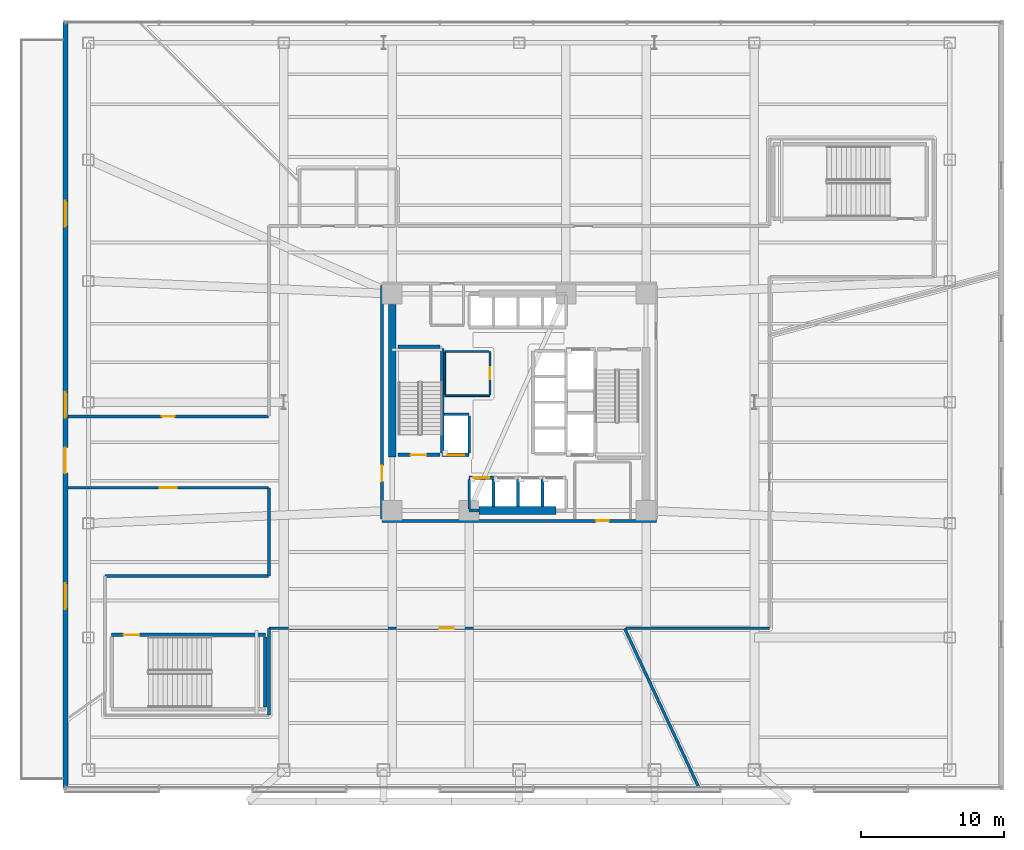
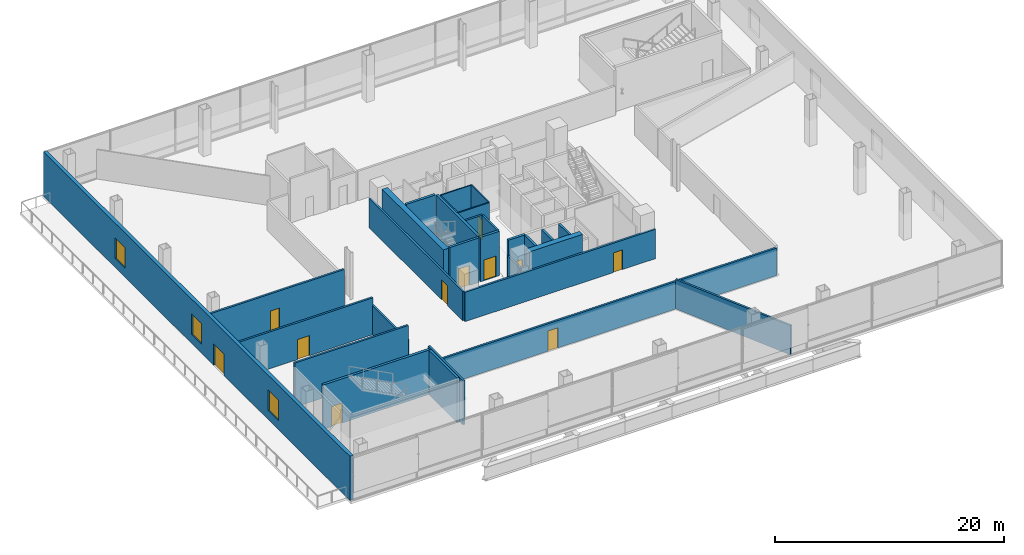
# One storey, part 10 of 20: 31 walls, 11 doors, 3 windows, 14 openings.
"""IFC4 building model written with IfcOpenShell, lengths in metres."""

from ifc_helpers import new_model, si_unit, direction, frame, frame_2d, origin, place, context, subcontext, project, spatial, rectangle, extrude, material, layer, layer_set, type_object, element, fill, save


model = new_model("IFC4")

# Units and contexts
model_context = context("Model", 3, precision=1e-05, world=origin(), true_north=direction((0.0, 1.0)))
body_context = subcontext(model_context, "Body", "Model", "MODEL_VIEW")
ifc_project = project(units=[si_unit("LENGTHUNIT", "METRE"), si_unit("AREAUNIT", "SQUARE_METRE"), si_unit("VOLUMEUNIT", "CUBIC_METRE"), si_unit("PLANEANGLEUNIT", "RADIAN"), si_unit("MASSUNIT", "GRAM", prefix="KILO")], contexts=[model_context])

# Site, building, storey
site_placement = place(None, origin())
site = spatial("IfcSite", under=ifc_project, at=site_placement, CompositionType="ELEMENT")
building_placement = place(site_placement, origin())
building = spatial("IfcBuilding", under=site, at=building_placement, Name="Tharavind Bronze Gate", CompositionType="ELEMENT")
storey_placement = place(building_placement, frame((0.0, 0.0, 16.5)))
storey = spatial("IfcBuildingStorey", under=building, at=storey_placement, Name="L03", CompositionType="ELEMENT", Elevation=16.5)

# Wall, openings, windows, door
ifc_material_1 = material(Name="Concrete C40/50", Category="concrete")
ifc_layer_1 = layer(ifc_material_1, 0.35009765625)
ifc_layer_set_1 = layer_set([ifc_layer_1], Name="Concrete C40/50")
wall_type_1 = type_object("IfcWallType", Name="EXTERIOR SPANDREL WALL 350", PredefinedType="STANDARD", material=ifc_layer_set_1)
wall_1_placement = place(storey_placement, frame((-31.820068359375, 26.6201171875, 0.0), z_axis=(0.0, 0.0, 1.0), x_axis=(0.0, -1.0, 0.0)))
wall_1 = element("IfcWall", 1, at=wall_1_placement, inside=storey, type_object=wall_type_1, Name="L03 upper podium west wall", PredefinedType="STANDARD", context=body_context, shape_type="SweptSolid", body=[
    extrude(rectangle(XDim=53.64013671875, YDim=0.35009765625, at=frame_2d((26.820068359375, 0.0))), origin(), (0.0, 0.0, 1.0), 4.739990234375),
])
opening_1_placement = place(wall_1_placement, frame((29.800048828125, 0.0, 0.0)))
opening_1 = element("IfcOpeningElement", 2, at=opening_1_placement, cuts=wall_1, Name="Opening ED03", PredefinedType="OPENING", context=body_context, shape_type="SweptSolid", body=[
    extrude(rectangle(XDim=1.800048828125, YDim=2.300048828125, at=frame_2d((0.89990234375, 1.14990234375))), frame((0.0, 0.185048828125, 0.0), z_axis=(0.0, -1.0, 0.0), x_axis=(1.0, 0.0, 0.0)), (0.0, 0.0, 1.0), 0.37009765625),
])
opening_2_placement = place(wall_1_placement, frame((12.510009765625, 0.0, 0.949951171875)))
opening_2 = element("IfcOpeningElement", 3, at=opening_2_placement, cuts=wall_1, Name="Opening W02", PredefinedType="OPENING", context=body_context, shape_type="SweptSolid", body=[
    extrude(rectangle(XDim=1.800048828125, YDim=2.199951171875, at=frame_2d((0.89990234375, 1.10009765625))), frame((0.0, 0.185048828125, 0.0), z_axis=(0.0, -1.0, 0.0), x_axis=(1.0, 0.0, 0.0)), (0.0, 0.0, 1.0), 0.37009765625),
])
opening_3_placement = place(wall_1_placement, frame((25.919921875, 0.0, 0.949951171875)))
opening_3 = element("IfcOpeningElement", 4, at=opening_3_placement, cuts=wall_1, Name="Opening W02", PredefinedType="OPENING", context=body_context, shape_type="SweptSolid", body=[
    extrude(rectangle(XDim=1.800048828125, YDim=2.199951171875, at=frame_2d((0.89990234375, 1.10009765625))), frame((0.0, 0.185048828125, 0.0), z_axis=(0.0, -1.0, 0.0), x_axis=(1.0, 0.0, 0.0)), (0.0, 0.0, 1.0), 0.37009765625),
])
opening_4_placement = place(wall_1_placement, frame((39.330078125, 0.0, 0.949951171875)))
opening_4 = element("IfcOpeningElement", 5, at=opening_4_placement, cuts=wall_1, Name="Opening W02", PredefinedType="OPENING", context=body_context, shape_type="SweptSolid", body=[
    extrude(rectangle(XDim=1.800048828125, YDim=2.199951171875, at=frame_2d((0.89990234375, 1.10009765625))), frame((0.0, 0.185048828125, 0.0), z_axis=(0.0, -1.0, 0.0), x_axis=(1.0, 0.0, 0.0)), (0.0, 0.0, 1.0), 0.37009765625),
])
ifc_material_2 = material(Name="Bronze Aluminium & Low-E Glass", Category="aluminium")
window_type = type_object("IfcWindowType", Name="DOUBLE PANEL BRONZE WINDOW 1800X2200", PartitioningType="DOUBLE_PANEL_VERTICAL", PredefinedType="WINDOW", material=ifc_material_2)
window_1_placement = place(opening_2_placement, origin())
window_1 = element("IfcWindow", 6, at=window_1_placement, inside=storey, type_object=window_type, Name="L03 exterior window WL-L03-WE-01", OverallHeight=2.199951171875, OverallWidth=1.800048828125, PartitioningType="SINGLE_PANEL", PredefinedType="WINDOW", context=body_context, shape_type="SweptSolid", body=[
    extrude(rectangle(XDim=1.800048828125, YDim=2.199951171875, at=frame_2d((0.89990234375, 1.10009765625))), frame((0.0, 0.030029296875, 0.0), z_axis=(0.0, -1.0, 0.0), x_axis=(1.0, 0.0, 0.0)), (0.0, 0.0, 1.0), 0.06005859375),
])
fill(opening_2, window_1)
window_2_placement = place(opening_3_placement, origin())
window_2 = element("IfcWindow", 7, at=window_2_placement, inside=storey, type_object=window_type, Name="L03 exterior window WL-L03-WE-02", OverallHeight=2.199951171875, OverallWidth=1.800048828125, PartitioningType="SINGLE_PANEL", PredefinedType="WINDOW", context=body_context, shape_type="SweptSolid", body=[
    extrude(rectangle(XDim=1.800048828125, YDim=2.199951171875, at=frame_2d((0.89990234375, 1.10009765625))), frame((0.0, 0.030029296875, 0.0), z_axis=(0.0, -1.0, 0.0), x_axis=(1.0, 0.0, 0.0)), (0.0, 0.0, 1.0), 0.06005859375),
])
fill(opening_3, window_2)
window_3_placement = place(opening_4_placement, origin())
window_3 = element("IfcWindow", 8, at=window_3_placement, inside=storey, type_object=window_type, Name="L03 exterior window WL-L03-WE-03", OverallHeight=2.199951171875, OverallWidth=1.800048828125, PartitioningType="SINGLE_PANEL", PredefinedType="WINDOW", context=body_context, shape_type="SweptSolid", body=[
    extrude(rectangle(XDim=1.800048828125, YDim=2.199951171875, at=frame_2d((0.89990234375, 1.10009765625))), frame((0.0, 0.030029296875, 0.0), z_axis=(0.0, -1.0, 0.0), x_axis=(1.0, 0.0, 0.0)), (0.0, 0.0, 1.0), 0.06005859375),
])
fill(opening_4, window_3)
ifc_material_3 = material(Name="Bronze Aluminium & Toughened Glass", Category="aluminium")
door_type_1 = type_object("IfcDoorType", Name="GLAZED TERRACE ACCESS DOOR 1800X2300", OperationType="DOUBLE_DOOR_SINGLE_SWING", PredefinedType="DOOR", material=ifc_material_3)
door_1_placement = place(opening_1_placement, frame((1.800048828125, 0.0, 0.0), z_axis=(0.0, 0.0, 1.0), x_axis=(-1.0, 0.0, 0.0)))
door_1 = element("IfcDoor", 9, at=door_1_placement, inside=storey, type_object=door_type_1, Name="L03 west convention terrace door", OperationType="DOUBLE_DOOR_SINGLE_SWING", OverallHeight=2.300048828125, OverallWidth=1.800048828125, PredefinedType="DOOR", context=body_context, shape_type="SweptSolid", body=[
    extrude(rectangle(XDim=1.800048828125, YDim=2.300048828125, at=frame_2d((0.89990234375, 1.14990234375))), frame((0.0, 0.02490234375, 0.0), z_axis=(0.0, -1.0, 0.0), x_axis=(1.0, 0.0, 0.0)), (0.0, 0.0, 1.0), 0.050048828125),
])
fill(opening_1, door_1)

# Wall, opening, door
ifc_material_4 = material(Name="Aerated Concrete Block", Category="concrete")
ifc_layer_2 = layer(ifc_material_4, 0.199951171875)
ifc_layer_set_2 = layer_set([ifc_layer_2], Name="Aerated Concrete Block")
wall_type_2 = type_object("IfcWallType", Name="FIRE RATED PARTITION 200", PredefinedType="PARTITIONING", material=ifc_layer_set_2)
wall_2_placement = place(storey_placement, frame((-9.6201171875, -8.320068359375, 0.0), z_axis=(0.0, 0.0, 1.0), x_axis=(1.0, 0.0, 0.0)))
wall_2 = element("IfcWall", 10, at=wall_2_placement, inside=storey, type_object=wall_type_2, Name="L03 south core corridor wall", PredefinedType="PARTITIONING", context=body_context, shape_type="SweptSolid", body=[
    extrude(rectangle(XDim=19.240234375, YDim=0.199951171875, at=frame_2d((9.6201171875, 0.0))), origin(), (0.0, 0.0, 1.0), 3.135009765625),
])
opening_5_placement = place(wall_2_placement, frame((15.02001953125, 0.0, 0.0)))
opening_5 = element("IfcOpeningElement", 11, at=opening_5_placement, cuts=wall_2, Name="Opening ID07", PredefinedType="OPENING", context=body_context, shape_type="SweptSolid", body=[
    extrude(rectangle(XDim=0.89990234375, YDim=2.10009765625, at=frame_2d((0.449951171875, 1.050048828125))), frame((0.0, 0.11009765625, 0.0), z_axis=(0.0, -1.0, 0.0), x_axis=(1.0, 0.0, 0.0)), (0.0, 0.0, 1.0), 0.219951171875),
])
ifc_material_5 = material(Name="Galvanised Fire Steel", Category="steel")
door_type_2 = type_object("IfcDoorType", Name="PLANT AND RISER FIRE DOOR 900X2100", OperationType="SINGLE_SWING_LEFT", PredefinedType="DOOR", material=ifc_material_5)
door_2_placement = place(opening_5_placement, origin())
door_2 = element("IfcDoor", 12, at=door_2_placement, inside=storey, type_object=door_type_2, Name="L03 Telecom Metering Room fire door", OperationType="SINGLE_SWING_LEFT", OverallHeight=2.10009765625, OverallWidth=0.89990234375, PredefinedType="DOOR", context=body_context, shape_type="SweptSolid", body=[
    extrude(rectangle(XDim=0.89990234375, YDim=2.10009765625, at=frame_2d((0.449951171875, 1.050048828125))), frame((0.0, 0.02490234375, 0.0), z_axis=(0.0, -1.0, 0.0), x_axis=(1.0, 0.0, 0.0)), (0.0, 0.0, 1.0), 0.050048828125),
])
fill(opening_5, door_2)

wall_3_placement = place(storey_placement, frame((-9.6201171875, 8.199951171875, 0.0), z_axis=(0.0, 0.0, 1.0), x_axis=(0.0, -1.0, 0.0)))
wall_3 = element("IfcWall", 13, at=wall_3_placement, inside=storey, type_object=wall_type_2, Name="L03 west core corridor wall", PredefinedType="PARTITIONING", context=body_context, shape_type="SweptSolid", body=[
    extrude(rectangle(XDim=16.39990234375, YDim=0.199951171875, at=frame_2d((8.199951171875, 0.0))), origin(), (0.0, 0.0, 1.0), 3.135009765625),
])
opening_6_placement = place(wall_3_placement, frame((12.64990234375, 0.0, 0.0)))
opening_6 = element("IfcOpeningElement", 14, at=opening_6_placement, cuts=wall_3, Name="Opening ID01", PredefinedType="OPENING", context=body_context, shape_type="SweptSolid", body=[
    extrude(rectangle(XDim=1.10009765625, YDim=2.14990234375, at=frame_2d((0.550048828125, 1.074951171875))), frame((0.0, 0.11009765625, 0.0), z_axis=(0.0, -1.0, 0.0), x_axis=(1.0, 0.0, 0.0)), (0.0, 0.0, 1.0), 0.219951171875),
])
ifc_material_6 = material(Name="Fire-Rated Steel", Category="steel")
door_type_3 = type_object("IfcDoorType", Name="STAIR CORE FIRE DOOR 1100X2150", OperationType="SINGLE_SWING_LEFT", PredefinedType="DOOR", material=ifc_material_6)
door_3_placement = place(opening_6_placement, frame((1.10009765625, 0.0, 0.0), z_axis=(0.0, 0.0, 1.0), x_axis=(-1.0, 0.0, 0.0)))
door_3 = element("IfcDoor", 15, at=door_3_placement, inside=storey, type_object=door_type_3, Name="L03 south west stair lobby fire door", OperationType="SINGLE_SWING_LEFT", OverallHeight=2.14990234375, OverallWidth=1.10009765625, PredefinedType="DOOR", context=body_context, shape_type="SweptSolid", body=[
    extrude(rectangle(XDim=1.10009765625, YDim=2.14990234375, at=frame_2d((0.550048828125, 1.074951171875))), frame((0.0, 0.02490234375, 0.0), z_axis=(0.0, -1.0, 0.0), x_axis=(1.0, 0.0, 0.0)), (0.0, 0.0, 1.0), 0.050048828125),
])
fill(opening_6, door_3)

wall_4_placement = place(storey_placement, frame((-17.574951171875, -1.0, 0.0), z_axis=(0.0, 0.0, 1.0), x_axis=(-1.0, 0.0, 0.0)))
wall_4 = element("IfcWall", 16, at=wall_4_placement, inside=storey, type_object=wall_type_2, Name="L03 Banquet Plating Kitchen partition", PredefinedType="PARTITIONING", context=body_context, shape_type="SweptSolid", body=[
    extrude(rectangle(XDim=14.06494140625, YDim=0.199951171875, at=frame_2d((7.032470703125, 0.0))), origin(), (0.0, 0.0, 1.0), 3.93505859375),
])
opening_7_placement = place(wall_4_placement, frame((6.5830078125, 0.0, 0.0)))
opening_7 = element("IfcOpeningElement", 17, at=opening_7_placement, cuts=wall_4, Name="Opening ID07", PredefinedType="OPENING", context=body_context, shape_type="SweptSolid", body=[
    extrude(rectangle(XDim=0.89990234375, YDim=2.10009765625, at=frame_2d((0.449951171875, 1.050048828125))), frame((0.0, 0.11009765625, 0.0), z_axis=(0.0, -1.0, 0.0), x_axis=(1.0, 0.0, 0.0)), (0.0, 0.0, 1.0), 0.219951171875),
])
door_4_placement = place(opening_7_placement, origin())
door_4 = element("IfcDoor", 18, at=door_4_placement, inside=storey, type_object=door_type_2, Name="L03 Banquet Plating Kitchen door", OperationType="SINGLE_SWING_LEFT", OverallHeight=2.10009765625, OverallWidth=0.89990234375, PredefinedType="DOOR", context=body_context, shape_type="SweptSolid", body=[
    extrude(rectangle(XDim=0.89990234375, YDim=2.10009765625, at=frame_2d((0.449951171875, 1.050048828125))), frame((0.0, 0.02490234375, 0.0), z_axis=(0.0, -1.0, 0.0), x_axis=(1.0, 0.0, 0.0)), (0.0, 0.0, 1.0), 0.050048828125),
])
fill(opening_7, door_4)

wall_5_placement = place(storey_placement, frame((-31.639892578125, -6.0, 0.0), z_axis=(0.0, 0.0, 1.0), x_axis=(1.0, 0.0, 0.0)))
wall_5 = element("IfcWall", 19, at=wall_5_placement, inside=storey, type_object=wall_type_2, Name="L03 West Terrace Foyer Lounge partition", PredefinedType="PARTITIONING", context=body_context, shape_type="SweptSolid", body=[
    extrude(rectangle(XDim=14.06494140625, YDim=0.199951171875, at=frame_2d((7.032470703125, 0.0))), origin(), (0.0, 0.0, 1.0), 3.93505859375),
])
opening_8_placement = place(wall_5_placement, frame((6.431884765625, 0.0, 0.0)))
opening_8 = element("IfcOpeningElement", 20, at=opening_8_placement, cuts=wall_5, Name="Opening ID05", PredefinedType="OPENING", context=body_context, shape_type="SweptSolid", body=[
    extrude(rectangle(XDim=1.199951171875, YDim=2.14990234375, at=frame_2d((0.60009765625, 1.074951171875))), frame((0.0, 0.11009765625, 0.0), z_axis=(0.0, -1.0, 0.0), x_axis=(1.0, 0.0, 0.0)), (0.0, 0.0, 1.0), 0.219951171875),
])
ifc_material_7 = material(Name="Acoustic Laminated Glass", Category="glass")
door_type_4 = type_object("IfcDoorType", Name="MEETING ROOM GLAZED DOOR 1200X2150", OperationType="SINGLE_SWING_LEFT", PredefinedType="DOOR", material=ifc_material_7)
door_5_placement = place(opening_8_placement, origin())
door_5 = element("IfcDoor", 21, at=door_5_placement, inside=storey, type_object=door_type_4, Name="L03 West Terrace Foyer Lounge door", OperationType="SINGLE_SWING_LEFT", OverallHeight=2.14990234375, OverallWidth=1.199951171875, PredefinedType="DOOR", context=body_context, shape_type="SweptSolid", body=[
    extrude(rectangle(XDim=1.199951171875, YDim=2.14990234375, at=frame_2d((0.60009765625, 1.074951171875))), frame((0.0, 0.02490234375, 0.0), z_axis=(0.0, -1.0, 0.0), x_axis=(1.0, 0.0, 0.0)), (0.0, 0.0, 1.0), 0.050048828125),
])
fill(opening_8, door_5)

# Walls
wall_6_placement = place(storey_placement, frame((-17.550048828125, -6.02490234375, 0.0), z_axis=(0.0, 0.0, 1.0), x_axis=(0.0, -1.0, 0.0)))
element("IfcWall", 22, at=wall_6_placement, inside=storey, type_object=wall_type_2, Name="L03 West Terrace Foyer Lounge partition", PredefinedType="PARTITIONING", context=body_context, shape_type="SweptSolid", body=[
    extrude(rectangle(XDim=6.150146484375, YDim=0.199951171875, at=frame_2d((3.0751953125, 0.0))), origin(), (0.0, 0.0, 1.0), 3.135009765625),
])
wall_7_placement = place(storey_placement, frame((-17.574951171875, -12.199951171875, 0.0), z_axis=(0.0, 0.0, 1.0), x_axis=(-1.0, 0.0, 0.0)))
element("IfcWall", 23, at=wall_7_placement, inside=storey, type_object=wall_type_2, Name="L03 West Terrace Foyer Lounge partition", PredefinedType="PARTITIONING", context=body_context, shape_type="SweptSolid", body=[
    extrude(rectangle(XDim=11.474365234375, YDim=0.199951171875, at=frame_2d((5.7373046875, 0.0))), origin(), (0.0, 0.0, 1.0), 4.739990234375),
])
wall_8_placement = place(storey_placement, frame((-17.550048828125, -21.949462890625, 0.0), z_axis=(0.0, 0.0, 1.0), x_axis=(0.0, 1.0, 0.0)))
element("IfcWall", 24, at=wall_8_placement, inside=storey, type_object=wall_type_2, Name="L03 Bridal & VIP Green Room partition", PredefinedType="PARTITIONING", context=body_context, shape_type="SweptSolid", body=[
    extrude(rectangle(XDim=6.074462890625, YDim=0.199951171875, at=frame_2d((3.037109375, 0.0))), origin(), (0.0, 0.0, 1.0), 4.739990234375),
])

# Wall, opening, door
wall_9_placement = place(storey_placement, frame((-17.52490234375, -15.85009765625, 0.0), z_axis=(0.0, 0.0, 1.0), x_axis=(1.0, 0.0, 0.0)))
wall_9 = element("IfcWall", 25, at=wall_9_placement, inside=storey, type_object=wall_type_2, Name="L03 Bridal & VIP Green Room partition", PredefinedType="PARTITIONING", context=body_context, shape_type="SweptSolid", body=[
    extrude(rectangle(XDim=24.89990234375, YDim=0.199951171875, at=frame_2d((12.449951171875, 0.0))), origin(), (0.0, 0.0, 1.0), 2.93505859375),
])
opening_9_placement = place(wall_9_placement, frame((11.949951171875, 0.0, 0.0)))
opening_9 = element("IfcOpeningElement", 26, at=opening_9_placement, cuts=wall_9, Name="Opening ID04", PredefinedType="OPENING", context=body_context, shape_type="SweptSolid", body=[
    extrude(rectangle(XDim=1.0, YDim=2.14990234375, at=frame_2d((0.5, 1.074951171875))), frame((0.0, 0.11009765625, 0.0), z_axis=(0.0, -1.0, 0.0), x_axis=(1.0, 0.0, 0.0)), (0.0, 0.0, 1.0), 0.219951171875),
])
ifc_material_8 = material(Name="Bronze Framed Acoustic Timber", Category="wood")
door_type_5 = type_object("IfcDoorType", Name="OFFICE TENANCY DOOR 1000X2150", OperationType="SINGLE_SWING_RIGHT", PredefinedType="DOOR", material=ifc_material_8)
door_6_placement = place(opening_9_placement, origin())
door_6 = element("IfcDoor", 27, at=door_6_placement, inside=storey, type_object=door_type_5, Name="L03 Bridal & VIP Green Room door", OperationType="SINGLE_SWING_RIGHT", OverallHeight=2.14990234375, OverallWidth=1.0, PredefinedType="DOOR", context=body_context, shape_type="SweptSolid", body=[
    extrude(rectangle(XDim=1.0, YDim=2.14990234375, at=frame_2d((0.5, 1.074951171875))), frame((0.0, 0.02490234375, 0.0), z_axis=(0.0, -1.0, 0.0), x_axis=(1.0, 0.0, 0.0)), (0.0, 0.0, 1.0), 0.050048828125),
])
fill(opening_9, door_6)

# Walls
wall_10_placement = place(storey_placement, frame((7.397705078125, -15.864501953125, 0.0), z_axis=(0.0, 0.0, 1.0), x_axis=(0.422618329775, -0.906307755312, 0.0)))
element("IfcWall", 28, at=wall_10_placement, inside=storey, type_object=wall_type_2, Name="L03 Bridal & VIP Green Room partition", PredefinedType="PARTITIONING", context=body_context, shape_type="SweptSolid", body=[
    extrude(rectangle(XDim=12.308837890625, YDim=0.199951171875, at=frame_2d((6.154296875, 0.0))), origin(), (0.0, 0.0, 1.0), 3.135009765625),
])
wall_11_placement = place(storey_placement, frame((7.5068359375, -15.85009765625, 0.0), z_axis=(0.0, 0.0, 1.0), x_axis=(1.0, 0.0, 0.0)))
element("IfcWall", 29, at=wall_11_placement, inside=storey, type_object=wall_type_2, Name="L03 Grand Pillar-Free Ballroom partition", PredefinedType="PARTITIONING", context=body_context, shape_type="SweptSolid", body=[
    extrude(rectangle(XDim=10.04248046875, YDim=0.199951171875, at=frame_2d((5.021240234375, 0.0))), origin(), (0.0, 0.0, 1.0), 2.93505859375),
])
ifc_material_9 = material(Name="Metal Stud Gypsum Partition", Category="gypsum")
ifc_layer_3 = layer(ifc_material_9, 0.1201171875)
ifc_layer_set_3 = layer_set([ifc_layer_3], Name="Metal Stud Gypsum Partition")
wall_type_3 = type_object("IfcWallType", Name="INTERIOR PARTITION WALL 120", PredefinedType="PARTITIONING", material=ifc_layer_set_3)
wall_12_placement = place(storey_placement, frame((-5.219970703125, 0.449951171875, 0.0), z_axis=(0.0, 0.0, 1.0), x_axis=(1.0, 0.0, 0.0)))
element("IfcWall", 30, at=wall_12_placement, inside=storey, type_object=wall_type_3, Name="L03 Electrical & Telecom Store partition 1", PredefinedType="PARTITIONING", context=body_context, shape_type="SweptSolid", body=[
    extrude(rectangle(XDim=3.169921875, YDim=0.1201171875, at=frame_2d((1.5849609375, 0.0))), origin(), (0.0, 0.0, 1.0), 4.739990234375),
])

# Wall, opening, door
wall_13_placement = place(storey_placement, frame((-2.050048828125, 0.514892578125, 0.0), z_axis=(0.0, 0.0, 1.0), x_axis=(0.0, 1.0, 0.0)))
wall_13 = element("IfcWall", 31, at=wall_13_placement, inside=storey, type_object=wall_type_3, Name="L03 Electrical & Telecom Store partition 2", PredefinedType="PARTITIONING", context=body_context, shape_type="SweptSolid", body=[
    extrude(rectangle(XDim=3.03515625, YDim=0.1201171875, at=frame_2d((1.517578125, 0.0))), origin(), (0.0, 0.0, 1.0), 4.739990234375),
])
opening_10_placement = place(wall_13_placement, frame((1.092041015625, 0.0, 0.0)))
opening_10 = element("IfcOpeningElement", 32, at=opening_10_placement, cuts=wall_13, Name="Opening ID06", PredefinedType="OPENING", context=body_context, shape_type="SweptSolid", body=[
    extrude(rectangle(XDim=0.85009765625, YDim=2.10009765625, at=frame_2d((0.425048828125, 1.050048828125))), frame((0.0, 0.07005859375, 0.0), z_axis=(0.0, -1.0, 0.0), x_axis=(1.0, 0.0, 0.0)), (0.0, 0.0, 1.0), 0.1401171875),
])
ifc_material_10 = material(Name="Moisture-Resistant Timber", Category="wood")
door_type_6 = type_object("IfcDoorType", Name="BATHROOM PRIVACY DOOR 850X2100", OperationType="SINGLE_SWING_RIGHT", PredefinedType="DOOR", material=ifc_material_10)
door_7_placement = place(opening_10_placement, frame((0.85009765625, 0.0, 0.0), z_axis=(0.0, 0.0, 1.0), x_axis=(-1.0, 0.0, 0.0)))
door_7 = element("IfcDoor", 33, at=door_7_placement, inside=storey, type_object=door_type_6, Name="L03 Electrical & Telecom Store door", OperationType="SINGLE_SWING_RIGHT", OverallHeight=2.10009765625, OverallWidth=0.85009765625, PredefinedType="DOOR", context=body_context, shape_type="SweptSolid", body=[
    extrude(rectangle(XDim=0.85009765625, YDim=2.10009765625, at=frame_2d((0.425048828125, 1.050048828125))), frame((0.0, 0.02490234375, 0.0), z_axis=(0.0, -1.0, 0.0), x_axis=(1.0, 0.0, 0.0)), (0.0, 0.0, 1.0), 0.050048828125),
])
fill(opening_10, door_7)

# Walls
wall_14_placement = place(storey_placement, frame((-2.114990234375, 3.550048828125, 0.0), z_axis=(0.0, 0.0, 1.0), x_axis=(-1.0, 0.0, 0.0)))
element("IfcWall", 34, at=wall_14_placement, inside=storey, type_object=wall_type_3, Name="L03 Electrical & Telecom Store partition 3", PredefinedType="PARTITIONING", context=body_context, shape_type="SweptSolid", body=[
    extrude(rectangle(XDim=3.10498046875, YDim=0.1201171875, at=frame_2d((1.552490234375, 0.0))), origin(), (0.0, 0.0, 1.0), 4.739990234375),
])
wall_15_placement = place(storey_placement, frame((-5.219970703125, 3.485107421875, 0.0), z_axis=(0.0, 0.0, 1.0), x_axis=(0.0, -1.0, 0.0)))
element("IfcWall", 35, at=wall_15_placement, inside=storey, type_object=wall_type_3, Name="L03 Electrical & Telecom Store partition 4", PredefinedType="PARTITIONING", context=body_context, shape_type="SweptSolid", body=[
    extrude(rectangle(XDim=2.97021484375, YDim=0.1201171875, at=frame_2d((1.485107421875, 0.0))), origin(), (0.0, 0.0, 1.0), 4.739990234375),
])
ifc_material_11 = material(Name="Concrete C50/60", Category="concrete")
ifc_layer_4 = layer(ifc_material_11, 0.25)
ifc_layer_set_4 = layer_set([ifc_layer_4], Name="Concrete C50/60")
wall_type_4 = type_object("IfcWallType", Name="RC CORE SHEAR WALL 250", PredefinedType="SHEAR", material=ifc_layer_set_4)
wall_16_placement = place(storey_placement, frame((-5.39990234375, -3.550048828125, 0.0), z_axis=(0.0, 0.0, 1.0), x_axis=(0.0, 1.0, 0.0)))
element("IfcWall", 36, at=wall_16_placement, inside=storey, type_object=wall_type_4, Name="L03 ST1 shaft east wall", PredefinedType="SHEAR", context=body_context, shape_type="SweptSolid", body=[
    extrude(rectangle(XDim=7.300048828125, YDim=0.25, at=frame_2d((3.64990234375, 0.0))), origin(), (0.0, 0.0, 1.0), 4.739990234375),
])

# Wall, opening, door
wall_17_placement = place(storey_placement, frame((-8.5, -3.699951171875, 0.0), z_axis=(0.0, 0.0, 1.0), x_axis=(1.0, 0.0, 0.0)))
wall_17 = element("IfcWall", 37, at=wall_17_placement, inside=storey, type_object=wall_type_4, Name="L03 ST1 shaft south wall", PredefinedType="SHEAR", context=body_context, shape_type="SweptSolid", body=[
    extrude(rectangle(XDim=2.949951171875, YDim=0.25, at=frame_2d((1.47509765625, 0.0))), origin(), (0.0, 0.0, 1.0), 4.739990234375),
])
opening_11_placement = place(wall_17_placement, frame((0.89990234375, 0.0, 0.0)))
opening_11 = element("IfcOpeningElement", 38, at=opening_11_placement, cuts=wall_17, Name="Opening ID01", PredefinedType="OPENING", context=body_context, shape_type="SweptSolid", body=[
    extrude(rectangle(XDim=1.10009765625, YDim=2.14990234375, at=frame_2d((0.550048828125, 1.074951171875))), frame((0.0, 0.135, 0.0), z_axis=(0.0, -1.0, 0.0), x_axis=(1.0, 0.0, 0.0)), (0.0, 0.0, 1.0), 0.27),
])
door_8_placement = place(opening_11_placement, origin())
door_8 = element("IfcDoor", 39, at=door_8_placement, inside=storey, type_object=door_type_3, Name="L03 exit stair ST1 fire door", OperationType="SINGLE_SWING_LEFT", OverallHeight=2.14990234375, OverallWidth=1.10009765625, PredefinedType="DOOR", context=body_context, shape_type="SweptSolid", body=[
    extrude(rectangle(XDim=1.10009765625, YDim=2.14990234375, at=frame_2d((0.550048828125, 1.074951171875))), frame((0.0, 0.02490234375, 0.0), z_axis=(0.0, -1.0, 0.0), x_axis=(1.0, 0.0, 0.0)), (0.0, 0.0, 1.0), 0.050048828125),
])
fill(opening_11, door_8)

# Wall
wall_18_placement = place(storey_placement, frame((-8.5, 3.89990234375, 0.0), z_axis=(0.0, 0.0, 1.0), x_axis=(1.0, 0.0, 0.0)))
element("IfcWall", 40, at=wall_18_placement, inside=storey, type_object=wall_type_4, Name="L03 ST1 shaft north wall", PredefinedType="SHEAR", context=body_context, shape_type="SweptSolid", body=[
    extrude(rectangle(XDim=2.949951171875, YDim=0.25, at=frame_2d((1.47509765625, 0.0))), origin(), (0.0, 0.0, 1.0), 4.739990234375),
])

# Wall, opening, door
wall_19_placement = place(storey_placement, frame((-28.580078125, -16.320068359375, 0.0), z_axis=(0.0, 0.0, 1.0), x_axis=(1.0, 0.0, 0.0)))
wall_19 = element("IfcWall", 41, at=wall_19_placement, inside=storey, type_object=wall_type_4, Name="L03 ST3 north wall", PredefinedType="SHEAR", context=body_context, shape_type="SweptSolid", body=[
    extrude(rectangle(XDim=10.780029296875, YDim=0.25, at=frame_2d((5.39013671875, 0.0))), origin(), (0.0, 0.0, 1.0), 4.739990234375),
])
opening_12_placement = place(wall_19_placement, frame((0.85009765625, 0.0, 0.0)))
opening_12 = element("IfcOpeningElement", 42, at=opening_12_placement, cuts=wall_19, Name="Opening ID01", PredefinedType="OPENING", context=body_context, shape_type="SweptSolid", body=[
    extrude(rectangle(XDim=1.10009765625, YDim=2.14990234375, at=frame_2d((0.550048828125, 1.074951171875))), frame((0.0, 0.135, 0.0), z_axis=(0.0, -1.0, 0.0), x_axis=(1.0, 0.0, 0.0)), (0.0, 0.0, 1.0), 0.27),
])
door_9_placement = place(opening_12_placement, frame((1.10009765625, 0.0, 0.0), z_axis=(0.0, 0.0, 1.0), x_axis=(-1.0, 0.0, 0.0)))
door_9 = element("IfcDoor", 43, at=door_9_placement, inside=storey, type_object=door_type_3, Name="L03 podium stair ST3 fire door", OperationType="SINGLE_SWING_LEFT", OverallHeight=2.14990234375, OverallWidth=1.10009765625, PredefinedType="DOOR", context=body_context, shape_type="SweptSolid", body=[
    extrude(rectangle(XDim=1.10009765625, YDim=2.14990234375, at=frame_2d((0.550048828125, 1.074951171875))), frame((0.0, 0.02490234375, 0.0), z_axis=(0.0, -1.0, 0.0), x_axis=(1.0, 0.0, 0.0)), (0.0, 0.0, 1.0), 0.050048828125),
])
fill(opening_12, door_9)

# Wall
wall_20_placement = place(storey_placement, frame((-17.800048828125, -21.3798828125, 0.0), z_axis=(0.0, 0.0, 1.0), x_axis=(0.0, 1.0, 0.0)))
element("IfcWall", 44, at=wall_20_placement, inside=storey, type_object=wall_type_4, Name="L03 ST3 east wall", PredefinedType="SHEAR", context=body_context, shape_type="SweptSolid", body=[
    extrude(rectangle(XDim=4.909912109375, YDim=0.25, at=frame_2d((2.455078125, 0.0))), origin(), (0.0, 0.0, 1.0), 4.739990234375),
])

# Wall, opening, door
wall_21_placement = place(storey_placement, frame((-3.5, -5.300048828125, 0.0), z_axis=(0.0, 0.0, 1.0), x_axis=(1.0, 0.0, 0.0)))
wall_21 = element("IfcWall", 45, at=wall_21_placement, inside=storey, type_object=wall_type_4, Name="L03 lift PL1 shaft front wall", PredefinedType="SHEAR", context=body_context, shape_type="SweptSolid", body=[
    extrude(rectangle(XDim=1.71240234375, YDim=0.25, at=frame_2d((0.856201171875, 0.0))), origin(), (0.0, 0.0, 1.0), 4.739990234375),
])
opening_13_placement = place(wall_21_placement, frame((0.305908203125, 0.0, 0.0)))
opening_13 = element("IfcOpeningElement", 46, at=opening_13_placement, cuts=wall_21, Name="Opening LD01", PredefinedType="OPENING", context=body_context, shape_type="SweptSolid", body=[
    extrude(rectangle(XDim=1.10009765625, YDim=2.199951171875, at=frame_2d((0.550048828125, 1.10009765625))), frame((0.0, 0.135, 0.0), z_axis=(0.0, -1.0, 0.0), x_axis=(1.0, 0.0, 0.0)), (0.0, 0.0, 1.0), 0.27),
])
ifc_material_12 = material(Name="Brushed Bronze Stainless Steel", Category="steel")
door_type_7 = type_object("IfcDoorType", Name="LIFT LANDING SLIDING DOOR 1100X2200", OperationType="SLIDING_TO_LEFT", PredefinedType="DOOR", material=ifc_material_12)
door_10_placement = place(opening_13_placement, origin())
door_10 = element("IfcDoor", 47, at=door_10_placement, inside=storey, type_object=door_type_7, Name="L03 lift PL1 sliding landing door", OperationType="SLIDING_TO_LEFT", OverallHeight=2.199951171875, OverallWidth=1.10009765625, PredefinedType="DOOR", context=body_context, shape_type="SweptSolid", body=[
    extrude(rectangle(XDim=1.10009765625, YDim=2.199951171875, at=frame_2d((0.550048828125, 1.10009765625))), frame((0.0, 0.02490234375, 0.0), z_axis=(0.0, -1.0, 0.0), x_axis=(1.0, 0.0, 0.0)), (0.0, 0.0, 1.0), 0.050048828125),
])
fill(opening_13, door_10)

wall_22_placement = place(storey_placement, frame((-5.39990234375, -3.699951171875, 0.0), z_axis=(0.0, 0.0, 1.0), x_axis=(1.0, 0.0, 0.0)))
wall_22 = element("IfcWall", 48, at=wall_22_placement, inside=storey, type_object=wall_type_4, Name="L03 lift FFL1 shaft front wall", PredefinedType="SHEAR", context=body_context, shape_type="SweptSolid", body=[
    extrude(rectangle(XDim=1.89990234375, YDim=0.25, at=frame_2d((0.949951171875, 0.0))), origin(), (0.0, 0.0, 1.0), 4.739990234375),
])
opening_14_placement = place(wall_22_placement, frame((0.35009765625, 0.0, 0.0)))
opening_14 = element("IfcOpeningElement", 49, at=opening_14_placement, cuts=wall_22, Name="Opening LD02", PredefinedType="OPENING", context=body_context, shape_type="SweptSolid", body=[
    extrude(rectangle(XDim=1.199951171875, YDim=2.199951171875, at=frame_2d((0.60009765625, 1.10009765625))), frame((0.0, 0.135, 0.0), z_axis=(0.0, -1.0, 0.0), x_axis=(1.0, 0.0, 0.0)), (0.0, 0.0, 1.0), 0.27),
])
ifc_material_13 = material(Name="Brushed Stainless Steel", Category="steel")
door_type_8 = type_object("IfcDoorType", Name="FIREFIGHTING LIFT LANDING DOOR 1200X2200", OperationType="SLIDING_TO_RIGHT", PredefinedType="DOOR", material=ifc_material_13)
door_11_placement = place(opening_14_placement, origin())
door_11 = element("IfcDoor", 50, at=door_11_placement, inside=storey, type_object=door_type_8, Name="L03 lift FFL1 sliding landing door", OperationType="SLIDING_TO_RIGHT", OverallHeight=2.199951171875, OverallWidth=1.199951171875, PredefinedType="DOOR", context=body_context, shape_type="SweptSolid", body=[
    extrude(rectangle(XDim=1.199951171875, YDim=2.199951171875, at=frame_2d((0.60009765625, 1.10009765625))), frame((0.0, 0.02490234375, 0.0), z_axis=(0.0, -1.0, 0.0), x_axis=(1.0, 0.0, 0.0)), (0.0, 0.0, 1.0), 0.050048828125),
])
fill(opening_14, door_11)

# Walls
ifc_material_14 = material(Name="Concrete C60/75", Category="concrete")
ifc_layer_5 = layer(ifc_material_14, 0.550048828125)
ifc_layer_set_5 = layer_set([ifc_layer_5], Name="Concrete C60/75")
wall_type_5 = type_object("IfcWallType", Name="RC CORE SHEAR WALL 550", PredefinedType="SHEAR", material=ifc_layer_set_5)
wall_23_placement = place(storey_placement, frame((-2.800048828125, -7.60009765625, 0.0), z_axis=(0.0, 0.0, 1.0), x_axis=(1.0, 0.0, 0.0)))
element("IfcWall", 51, at=wall_23_placement, inside=storey, type_object=wall_type_5, Name="L03 south core shear wall", PredefinedType="SHEAR", context=body_context, shape_type="SweptSolid", body=[
    extrude(rectangle(XDim=5.380126953125, YDim=0.550048828125, at=frame_2d((2.68994140625, 0.0))), origin(), (0.0, 0.0, 1.0), 4.739990234375),
])
wall_24_placement = place(storey_placement, frame((-8.89990234375, -3.85009765625, 0.0), z_axis=(0.0, 0.0, 1.0), x_axis=(0.0, 1.0, 0.0)))
element("IfcWall", 52, at=wall_24_placement, inside=storey, type_object=wall_type_5, Name="L03 west core shear wall", PredefinedType="SHEAR", context=body_context, shape_type="SweptSolid", body=[
    extrude(rectangle(XDim=10.7001953125, YDim=0.550048828125, at=frame_2d((5.35009765625, 0.0))), origin(), (0.0, 0.0, 1.0), 4.739990234375),
])
ifc_layer_6 = layer(ifc_material_1, 0.199951171875)
ifc_layer_set_6 = layer_set([ifc_layer_6], Name="Concrete C40/50")
wall_type_6 = type_object("IfcWallType", Name="SHAFT ENCLOSURE WALL 200", PredefinedType="PARTITIONING", material=ifc_layer_set_6)
wall_25_placement = place(storey_placement, frame((-3.5, -7.60009765625, 0.0), z_axis=(0.0, 0.0, 1.0), x_axis=(1.0, 0.0, 0.0)))
element("IfcWall", 53, at=wall_25_placement, inside=storey, type_object=wall_type_6, Name="L03 lift PL1 shaft S enclosure wall", PredefinedType="PARTITIONING", context=body_context, shape_type="SweptSolid", body=[
    extrude(rectangle(XDim=0.699951171875, YDim=0.199951171875, at=frame_2d((0.35009765625, 0.0))), origin(), (0.0, 0.0, 1.0), 3.135009765625),
])
wall_26_placement = place(storey_placement, frame((-3.5, -7.4951171875, 0.0), z_axis=(0.0, 0.0, 1.0), x_axis=(0.0, 1.0, 0.0)))
element("IfcWall", 54, at=wall_26_placement, inside=storey, type_object=wall_type_6, Name="L03 lift PL1 shaft W enclosure wall", PredefinedType="PARTITIONING", context=body_context, shape_type="SweptSolid", body=[
    extrude(rectangle(XDim=2.065185546875, YDim=0.199951171875, at=frame_2d((1.03271484375, 0.0))), origin(), (0.0, 0.0, 1.0), 3.135009765625),
])
for number, where, z_axis, x_axis, name in (
    (55, (-1.78759765625, -7.320068359375, 0.0), (0.0, 0.0, 1.0), (0.0, 1.0, 0.0), "L03 lift PL1 shaft E enclosure wall"),
    (56, (-0.074951171875, -7.320068359375, 0.0), (0.0, 0.0, 1.0), (0.0, 1.0, 0.0), "L03 lift PL2 shaft E enclosure wall"),
    (57, (1.637451171875, -7.320068359375, 0.0), (0.0, 0.0, 1.0), (0.0, 1.0, 0.0), "L03 lift PL3 shaft E enclosure wall"),
):
    element("IfcWall", number, at=place(storey_placement, frame(where, z_axis=z_axis, x_axis=x_axis)), inside=storey, type_object=wall_type_6, Name=name, PredefinedType="PARTITIONING", context=body_context, shape_type="SweptSolid", body=[
        extrude(rectangle(XDim=1.89013671875, YDim=0.199951171875, at=frame_2d((0.945068359375, 0.0))), origin(), (0.0, 0.0, 1.0), 4.739990234375),
    ])
wall_27_placement = place(storey_placement, frame((-5.27001953125, -0.85009765625, 0.0), z_axis=(0.0, 0.0, 1.0), x_axis=(1.0, 0.0, 0.0)))
element("IfcWall", 58, at=wall_27_placement, inside=storey, type_object=wall_type_6, Name="L03 lift FFL1 shaft N enclosure wall", PredefinedType="PARTITIONING", context=body_context, shape_type="SweptSolid", body=[
    extrude(rectangle(XDim=1.77001953125, YDim=0.199951171875, at=frame_2d((0.885009765625, 0.0))), origin(), (0.0, 0.0, 1.0), 4.739990234375),
])
wall_28_placement = place(storey_placement, frame((-3.5, -3.570068359375, 0.0), z_axis=(0.0, 0.0, 1.0), x_axis=(0.0, 1.0, 0.0)))
element("IfcWall", 59, at=wall_28_placement, inside=storey, type_object=wall_type_6, Name="L03 lift FFL1 shaft E enclosure wall", PredefinedType="PARTITIONING", context=body_context, shape_type="SweptSolid", body=[
    extrude(rectangle(XDim=2.614990234375, YDim=0.199951171875, at=frame_2d((1.3076171875, 0.0))), origin(), (0.0, 0.0, 1.0), 4.739990234375),
])

save(model, "model.ifc")
